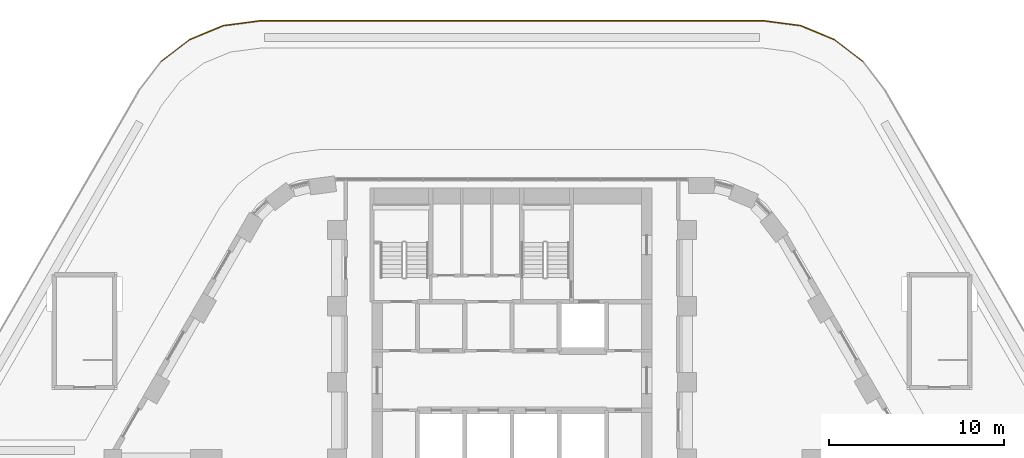
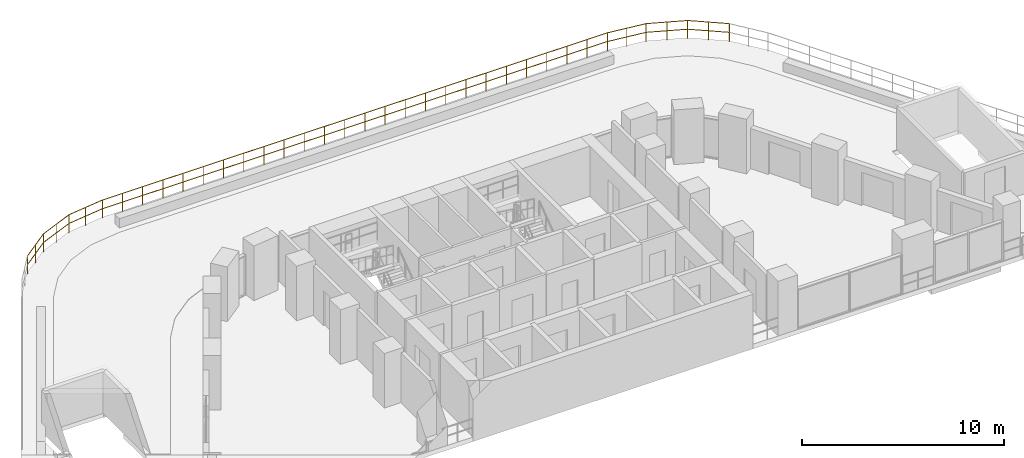
# One storey, part 24 of 24: 7 railings.
"""IFC4 building model written with IfcOpenShell, lengths in metres."""

from ifc_helpers import new_model, si_unit, direction, frame, origin, origin_2d, place, context, subcontext, project, spatial, circle, extrude, material, type_object, element, save


model = new_model("IFC4")

# Units and contexts
model_context = context("Model", 3, precision=1e-05, world=origin(), true_north=direction((0.0, 1.0)))
body_context = subcontext(model_context, "Body", "Model", "MODEL_VIEW")
ifc_project = project(units=[si_unit("LENGTHUNIT", "METRE"), si_unit("AREAUNIT", "SQUARE_METRE"), si_unit("VOLUMEUNIT", "CUBIC_METRE"), si_unit("PLANEANGLEUNIT", "RADIAN"), si_unit("MASSUNIT", "GRAM", prefix="KILO")], contexts=[model_context])

# Site, building, storey
site_placement = place(None, origin())
site = spatial("IfcSite", under=ifc_project, at=site_placement, CompositionType="ELEMENT")
building_placement = place(site_placement, origin())
building = spatial("IfcBuilding", under=site, at=building_placement, Name="Nakaniwa Court", CompositionType="ELEMENT")
storey_placement = place(building_placement, frame((0.0, 0.0, 28.199951171875)))
storey = spatial("IfcBuildingStorey", under=building, at=storey_placement, Name="L06", CompositionType="ELEMENT", Elevation=28.199951171875)

# Railings
ifc_material = material(Name="Black powder-coated steel flat bar balustrade S275", Category="steel")
railing_type = type_object("IfcRailingType", Name="Black metal terrace guard 1100", PredefinedType="GUARDRAIL", material=ifc_material)
railing_1_placement = place(storey_placement, frame((100.060302734375, 110.6171875, 0.0)))
element("IfcRailing", 1, at=railing_1_placement, inside=storey, type_object=railing_type, Name="L06 play deck 2 guard 6", PredefinedType="GUARDRAIL", context=body_context, shape_type="SweptSolid", body=[
    extrude(circle(Radius=0.02392578125, at=origin_2d()), frame((0.0, 0.0, 1.076171875), z_axis=(-0.793401229683, 0.608699013255, 0.0), x_axis=(-0.608699013255, -0.793401229683, 0.0)), (0.0, 0.0, 1.0), 2.08837890625),
    extrude(circle(Radius=0.02392578125, at=origin_2d()), frame((0.0, 0.0, 0.550048828125), z_axis=(-0.793401229683, 0.608699013255, 0.0), x_axis=(-0.608699013255, -0.793401229683, 0.0)), (0.0, 0.0, 1.0), 2.08837890625),
    extrude(circle(Radius=0.02099609375, at=origin_2d()), origin(), (0.0, 0.0, 1.0), 1.052001953125),
    extrude(circle(Radius=0.02099609375, at=origin_2d()), frame((-0.82861328125, 0.6357421875, 0.0)), (0.0, 0.0, 1.0), 1.052001953125),
    extrude(circle(Radius=0.02099609375, at=origin_2d()), frame((-1.656982421875, 1.271240234375, 0.0)), (0.0, 0.0, 1.0), 1.052001953125),
])
railing_2_placement = place(storey_placement, frame((98.414794921875, 111.882080078125, 0.0)))
element("IfcRailing", 2, at=railing_2_placement, inside=storey, type_object=railing_type, Name="L06 play deck 2 guard 7", PredefinedType="GUARDRAIL", context=body_context, shape_type="SweptSolid", body=[
    extrude(circle(Radius=0.02392578125, at=origin_2d()), frame((0.0, 0.0, 1.076171875), z_axis=(-0.923918540982, 0.382589244007, 0.0), x_axis=(-0.382589244007, -0.923918540982, 0.0)), (0.0, 0.0, 1.0), 2.088623046875),
    extrude(circle(Radius=0.02392578125, at=origin_2d()), frame((0.0, 0.0, 0.550048828125), z_axis=(-0.923918540982, 0.382589244007, 0.0), x_axis=(-0.382589244007, -0.923918540982, 0.0)), (0.0, 0.0, 1.0), 2.088623046875),
    extrude(circle(Radius=0.02099609375, at=origin_2d()), origin(), (0.0, 0.0, 1.0), 1.052001953125),
    extrude(circle(Radius=0.02099609375, at=origin_2d()), frame((-0.96484375, 0.3994140625, 0.0)), (0.0, 0.0, 1.0), 1.052001953125),
    extrude(circle(Radius=0.02099609375, at=origin_2d()), frame((-1.9296875, 0.799072265625, 0.0)), (0.0, 0.0, 1.0), 1.052001953125),
])
railing_3_placement = place(storey_placement, frame((96.497802734375, 112.677734375, 0.0)))
element("IfcRailing", 3, at=railing_3_placement, inside=storey, type_object=railing_type, Name="L06 play deck 2 guard 8", PredefinedType="GUARDRAIL", context=body_context, shape_type="SweptSolid", body=[
    extrude(circle(Radius=0.02392578125, at=origin_2d()), frame((0.0, 0.0, 1.076171875), z_axis=(-0.991437974162, 0.130578495123, 0.0), x_axis=(-0.130578495123, -0.991437974162, 0.0)), (0.0, 0.0, 1.0), 2.08837890625),
    extrude(circle(Radius=0.02392578125, at=origin_2d()), frame((0.0, 0.0, 0.550048828125), z_axis=(-0.991437974162, 0.130578495123, 0.0), x_axis=(-0.130578495123, -0.991437974162, 0.0)), (0.0, 0.0, 1.0), 2.08837890625),
    extrude(circle(Radius=0.02099609375, at=origin_2d()), origin(), (0.0, 0.0, 1.0), 1.052001953125),
    extrude(circle(Radius=0.02099609375, at=origin_2d()), frame((-1.03515625, 0.13623046875, 0.0)), (0.0, 0.0, 1.0), 1.052001953125),
    extrude(circle(Radius=0.02099609375, at=origin_2d()), frame((-2.070556640625, 0.272705078125, 0.0)), (0.0, 0.0, 1.0), 1.052001953125),
])
railing_4_placement = place(storey_placement, frame((94.433837890625, 112.949951171875, 0.0)))
element("IfcRailing", 4, at=railing_4_placement, inside=storey, type_object=railing_type, Name="L06 play deck 2 guard 9", PredefinedType="GUARDRAIL", context=body_context, shape_type="SweptSolid", body=[
    extrude(circle(Radius=0.02392578125, at=origin_2d()), frame((0.0, 0.0, 1.076171875), z_axis=(-1.0, 0.0, 0.0), x_axis=(0.0, -1.0, 0.0)), (0.0, 0.0, 1.0), 28.86767578125),
    extrude(circle(Radius=0.02392578125, at=origin_2d()), frame((0.0, 0.0, 0.550048828125), z_axis=(-1.0, 0.0, 0.0), x_axis=(0.0, -1.0, 0.0)), (0.0, 0.0, 1.0), 28.86767578125),
    extrude(circle(Radius=0.02099609375, at=origin_2d()), origin(), (0.0, 0.0, 1.0), 1.052001953125),
    extrude(circle(Radius=0.02099609375, at=origin_2d()), frame((-1.15478515625, 0.0, 0.0)), (0.0, 0.0, 1.0), 1.052001953125),
    extrude(circle(Radius=0.02099609375, at=origin_2d()), frame((-2.309326171875, 0.0, 0.0)), (0.0, 0.0, 1.0), 1.052001953125),
    extrude(circle(Radius=0.02099609375, at=origin_2d()), frame((-3.464111328125, 0.0, 0.0)), (0.0, 0.0, 1.0), 1.052001953125),
    extrude(circle(Radius=0.02099609375, at=origin_2d()), frame((-4.618896484375, 0.0, 0.0)), (0.0, 0.0, 1.0), 1.052001953125),
    extrude(circle(Radius=0.02099609375, at=origin_2d()), frame((-5.7734375, 0.0, 0.0)), (0.0, 0.0, 1.0), 1.052001953125),
    extrude(circle(Radius=0.02099609375, at=origin_2d()), frame((-6.92822265625, 0.0, 0.0)), (0.0, 0.0, 1.0), 1.052001953125),
    extrude(circle(Radius=0.02099609375, at=origin_2d()), frame((-8.0830078125, 0.0, 0.0)), (0.0, 0.0, 1.0), 1.052001953125),
    extrude(circle(Radius=0.02099609375, at=origin_2d()), frame((-9.237548828125, 0.0, 0.0)), (0.0, 0.0, 1.0), 1.052001953125),
    extrude(circle(Radius=0.02099609375, at=origin_2d()), frame((-10.392333984375, 0.0, 0.0)), (0.0, 0.0, 1.0), 1.052001953125),
    extrude(circle(Radius=0.02099609375, at=origin_2d()), frame((-11.547119140625, 0.0, 0.0)), (0.0, 0.0, 1.0), 1.052001953125),
    extrude(circle(Radius=0.02099609375, at=origin_2d()), frame((-12.70166015625, 0.0, 0.0)), (0.0, 0.0, 1.0), 1.052001953125),
    extrude(circle(Radius=0.02099609375, at=origin_2d()), frame((-13.8564453125, 0.0, 0.0)), (0.0, 0.0, 1.0), 1.052001953125),
    extrude(circle(Radius=0.02099609375, at=origin_2d()), frame((-15.01123046875, 0.0, 0.0)), (0.0, 0.0, 1.0), 1.052001953125),
    extrude(circle(Radius=0.02099609375, at=origin_2d()), frame((-16.166015625, 0.0, 0.0)), (0.0, 0.0, 1.0), 1.052001953125),
    extrude(circle(Radius=0.02099609375, at=origin_2d()), frame((-17.320556640625, 0.0, 0.0)), (0.0, 0.0, 1.0), 1.052001953125),
    extrude(circle(Radius=0.02099609375, at=origin_2d()), frame((-18.475341796875, 0.0, 0.0)), (0.0, 0.0, 1.0), 1.052001953125),
    extrude(circle(Radius=0.02099609375, at=origin_2d()), frame((-19.630126953125, 0.0, 0.0)), (0.0, 0.0, 1.0), 1.052001953125),
    extrude(circle(Radius=0.02099609375, at=origin_2d()), frame((-20.78466796875, 0.0, 0.0)), (0.0, 0.0, 1.0), 1.052001953125),
    extrude(circle(Radius=0.02099609375, at=origin_2d()), frame((-21.939453125, 0.0, 0.0)), (0.0, 0.0, 1.0), 1.052001953125),
    extrude(circle(Radius=0.02099609375, at=origin_2d()), frame((-23.09423828125, 0.0, 0.0)), (0.0, 0.0, 1.0), 1.052001953125),
    extrude(circle(Radius=0.02099609375, at=origin_2d()), frame((-24.248779296875, 0.0, 0.0)), (0.0, 0.0, 1.0), 1.052001953125),
    extrude(circle(Radius=0.02099609375, at=origin_2d()), frame((-25.403564453125, 0.0, 0.0)), (0.0, 0.0, 1.0), 1.052001953125),
    extrude(circle(Radius=0.02099609375, at=origin_2d()), frame((-26.558349609375, 0.0, 0.0)), (0.0, 0.0, 1.0), 1.052001953125),
    extrude(circle(Radius=0.02099609375, at=origin_2d()), frame((-27.712890625, 0.0, 0.0)), (0.0, 0.0, 1.0), 1.052001953125),
    extrude(circle(Radius=0.02099609375, at=origin_2d()), frame((-28.86767578125, 0.0, 0.0)), (0.0, 0.0, 1.0), 1.052001953125),
])
railing_5_placement = place(storey_placement, frame((65.57275390625, 112.950439453125, 0.0)))
element("IfcRailing", 5, at=railing_5_placement, inside=storey, type_object=railing_type, Name="L06 play deck 2 guard 10", PredefinedType="GUARDRAIL", context=body_context, shape_type="SweptSolid", body=[
    extrude(circle(Radius=0.02392578125, at=origin_2d()), frame((0.0, 0.0, 1.076171875), z_axis=(-0.991437974162, -0.130578495123, 0.0), x_axis=(0.130578495123, -0.991437974162, 0.0)), (0.0, 0.0, 1.0), 2.08837890625),
    extrude(circle(Radius=0.02392578125, at=origin_2d()), frame((0.0, 0.0, 0.550048828125), z_axis=(-0.991437974162, -0.130578495123, 0.0), x_axis=(0.130578495123, -0.991437974162, 0.0)), (0.0, 0.0, 1.0), 2.08837890625),
    extrude(circle(Radius=0.02099609375, at=origin_2d()), origin(), (0.0, 0.0, 1.0), 1.052001953125),
    extrude(circle(Radius=0.02099609375, at=origin_2d()), frame((-1.03515625, -0.13623046875, 0.0)), (0.0, 0.0, 1.0), 1.052001953125),
    extrude(circle(Radius=0.02099609375, at=origin_2d()), frame((-2.070556640625, -0.272705078125, 0.0)), (0.0, 0.0, 1.0), 1.052001953125),
])
railing_6_placement = place(storey_placement, frame((63.514892578125, 112.68115234375, 0.0)))
element("IfcRailing", 6, at=railing_6_placement, inside=storey, type_object=railing_type, Name="L06 play deck 2 guard 11", PredefinedType="GUARDRAIL", context=body_context, shape_type="SweptSolid", body=[
    extrude(circle(Radius=0.02392578125, at=origin_2d()), frame((0.0, 0.0, 1.076171875), z_axis=(-0.923918540982, -0.382589244007, 0.0), x_axis=(0.382589244007, -0.923918540982, 0.0)), (0.0, 0.0, 1.0), 2.088623046875),
    extrude(circle(Radius=0.02392578125, at=origin_2d()), frame((0.0, 0.0, 0.550048828125), z_axis=(-0.923918540982, -0.382589244007, 0.0), x_axis=(0.382589244007, -0.923918540982, 0.0)), (0.0, 0.0, 1.0), 2.088623046875),
    extrude(circle(Radius=0.02099609375, at=origin_2d()), origin(), (0.0, 0.0, 1.0), 1.052001953125),
    extrude(circle(Radius=0.02099609375, at=origin_2d()), frame((-0.96484375, -0.3994140625, 0.0)), (0.0, 0.0, 1.0), 1.052001953125),
    extrude(circle(Radius=0.02099609375, at=origin_2d()), frame((-1.9296875, -0.799072265625, 0.0)), (0.0, 0.0, 1.0), 1.052001953125),
])
railing_7_placement = place(storey_placement, frame((61.5966796875, 111.888427734375, 0.0)))
element("IfcRailing", 7, at=railing_7_placement, inside=storey, type_object=railing_type, Name="L06 play deck 2 guard 12", PredefinedType="GUARDRAIL", context=body_context, shape_type="SweptSolid", body=[
    extrude(circle(Radius=0.02392578125, at=origin_2d()), frame((0.0, 0.0, 1.076171875), z_axis=(-0.793401229683, -0.608699013255, 0.0), x_axis=(0.608699013255, -0.793401229683, 0.0)), (0.0, 0.0, 1.0), 2.08837890625),
    extrude(circle(Radius=0.02392578125, at=origin_2d()), frame((0.0, 0.0, 0.550048828125), z_axis=(-0.793401229683, -0.608699013255, 0.0), x_axis=(0.608699013255, -0.793401229683, 0.0)), (0.0, 0.0, 1.0), 2.08837890625),
    extrude(circle(Radius=0.02099609375, at=origin_2d()), origin(), (0.0, 0.0, 1.0), 1.052001953125),
    extrude(circle(Radius=0.02099609375, at=origin_2d()), frame((-0.82861328125, -0.6357421875, 0.0)), (0.0, 0.0, 1.0), 1.052001953125),
    extrude(circle(Radius=0.02099609375, at=origin_2d()), frame((-1.656982421875, -1.271240234375, 0.0)), (0.0, 0.0, 1.0), 1.052001953125),
])

save(model, "model.ifc")
